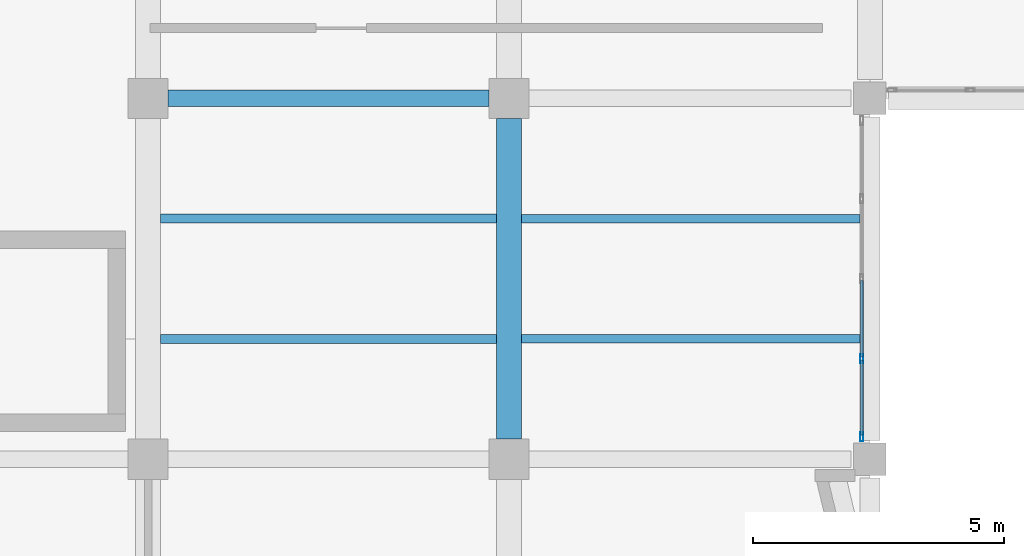
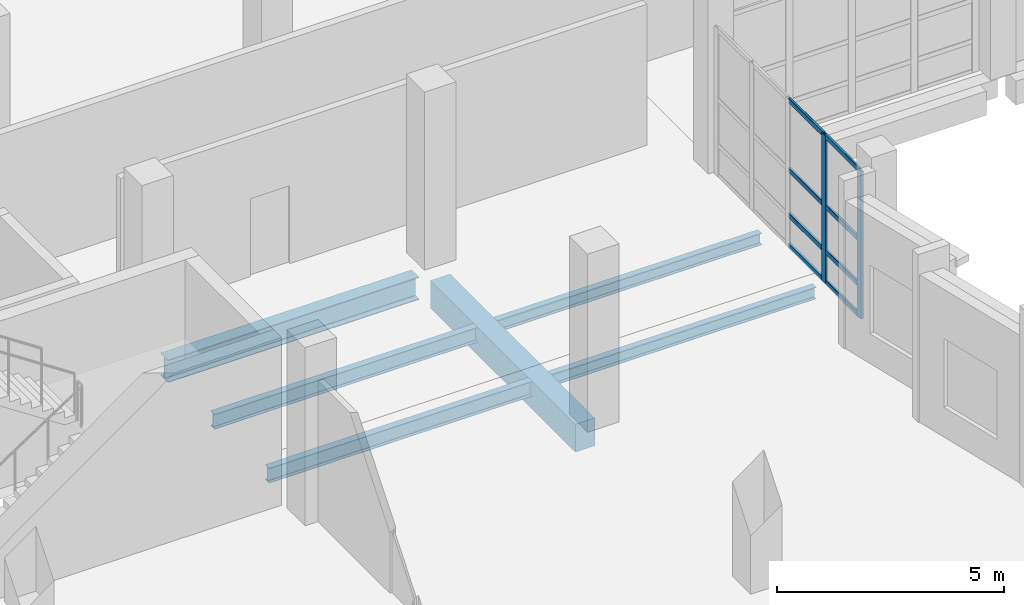
# One storey, part 47 of 127: 10 members, 6 beams, 1 element without a shape of its own.
"""IFC4 building model written with IfcOpenShell, lengths in metres."""

from ifc_helpers import new_model, si_unit, direction, frame, origin, origin_2d, place, context, subcontext, project, spatial, rectangle, hollow_rectangle, i_section, extrude, material, material_profile, profile_set, type_object, element, aggregate, save


model = new_model("IFC4")

# Units and contexts
model_context = context("Model", 3, precision=1e-05, world=origin(), true_north=direction((0.0, 1.0)))
body_context = subcontext(model_context, "Body", "Model", "MODEL_VIEW")
ifc_project = project(units=[si_unit("LENGTHUNIT", "METRE"), si_unit("AREAUNIT", "SQUARE_METRE"), si_unit("VOLUMEUNIT", "CUBIC_METRE"), si_unit("PLANEANGLEUNIT", "RADIAN"), si_unit("MASSUNIT", "GRAM", prefix="KILO")], contexts=[model_context])

# Site, building, storey
site_placement = place(None, origin())
site = spatial("IfcSite", under=ifc_project, at=site_placement, CompositionType="ELEMENT")
building_placement = place(site_placement, origin())
building = spatial("IfcBuilding", under=site, at=building_placement, Name="Kalmorath City Hall", CompositionType="ELEMENT")
storey_placement = place(building_placement, frame((0.0, 0.0, 5.39990234375)))
storey = spatial("IfcBuildingStorey", under=building, at=storey_placement, Name="L01", CompositionType="ELEMENT", Elevation=5.39990234375)

# Beam
ifc_material_1 = material(Name="Concrete C40/50", Category="concrete")
ifc_material_profile_1 = material_profile(ifc_material_1, rectangle(XDim=0.5, YDim=0.75, at=origin_2d()), Name="RC-BM-500X750")
ifc_profile_set_1 = profile_set([ifc_material_profile_1], Name="Concrete C40/50")
beam_type_1 = type_object("IfcBeamType", Name="Concrete floor beam 500x750", PredefinedType="BEAM", material=ifc_profile_set_1)
beam_1_placement = place(storey_placement, frame((21.60009765625, 86.800048828125, -0.698974609375), z_axis=(0.0, 1.0, 0.0), x_axis=(-1.0, 0.0, 0.0)))
element("IfcBeam", 1, at=beam_1_placement, inside=storey, type_object=beam_type_1, Name="L01 girder CB3 Y4/13-14", PredefinedType="BEAM", context=body_context, shape_type="SweptSolid", body=[
    extrude(rectangle(XDim=0.5, YDim=0.75, at=origin_2d()), origin(), (0.0, 0.0, 1.0), 6.39990234375),
])

# Curtain wall, members
ifc_material_2 = material(Name="Anodised aluminium and laminated glass", Category="aluminium")
curtain_wall_type = type_object("IfcCurtainWallType", Name="Unitised hurricane curtain wall 6370x3976 M1750", PredefinedType="NOTDEFINED", material=ifc_material_2)
curtain_wall_placement = place(storey_placement, origin())
curtain_wall = element("IfcCurtainWall", 2, at=curtain_wall_placement, inside=storey, type_object=curtain_wall_type, Name="L01 curtain wall CW-64X40M18 #108", PredefinedType="NOTDEFINED")
ifc_material_3 = material(Name="Anodised aluminium framing", Category="aluminium")
ifc_material_profile_2 = material_profile(ifc_material_3, hollow_rectangle(XDim=0.06494140625, YDim=0.179931640625, WallThickness=0.00390625, InnerFilletRadius=0.00390625, OuterFilletRadius=0.008056640625, at=origin_2d()), Name="ALU-MUL-180X65X4")
ifc_profile_set_2 = profile_set([ifc_material_profile_2], Name="Anodised aluminium framing")
member_type_1 = type_object("IfcMemberType", Name="Curtain-wall courtyard mullion 180x65", PredefinedType="MULLION", material=ifc_profile_set_2)
member_1_placement = place(storey_placement, frame((28.639892578125, 88.407470703125, 0.0), z_axis=(0.0, 0.0, 1.0), x_axis=(1.0, 0.0, 0.0)))
member_1 = element("IfcMember", 3, at=member_1_placement, type_object=member_type_1, Name="CW-64X40M18 mullion 4", PredefinedType="MULLION", context=body_context, shape_type="SweptSolid", body=[
    extrude(hollow_rectangle(XDim=0.06494140625, YDim=0.179931640625, WallThickness=0.00390625, InnerFilletRadius=0.00390625, OuterFilletRadius=0.008056640625, at=origin_2d()), origin(), (0.0, 0.0, 1.0), 3.97607421875),
])
member_2_placement = place(storey_placement, frame((28.639892578125, 86.847412109375, 0.0), z_axis=(0.0, 0.0, 1.0), x_axis=(1.0, 0.0, 0.0)))
member_2 = element("IfcMember", 4, at=member_2_placement, type_object=member_type_1, Name="CW-64X40M18 mullion 5", PredefinedType="MULLION", context=body_context, shape_type="SweptSolid", body=[
    extrude(hollow_rectangle(XDim=0.06494140625, YDim=0.179931640625, WallThickness=0.00390625, InnerFilletRadius=0.00390625, OuterFilletRadius=0.008056640625, at=origin_2d()), origin(), (0.0, 0.0, 1.0), 3.97607421875),
])
ifc_material_4 = material(Name="Anodised aluminium framing", Category="aluminium")
ifc_material_profile_3 = material_profile(ifc_material_4, hollow_rectangle(XDim=0.06005859375, YDim=0.1298828125, WallThickness=0.00341796875, InnerFilletRadius=0.00341796875, OuterFilletRadius=0.007080078125, at=origin_2d()), Name="ALU-TRN-130X60X3.5")
ifc_profile_set_3 = profile_set([ifc_material_profile_3], Name="Anodised aluminium framing")
member_type_2 = type_object("IfcMemberType", Name="Curtain-wall courtyard transom 130x60", PredefinedType="USERDEFINED", material=ifc_profile_set_3)
member_3_placement = place(storey_placement, frame((28.639892578125, 89.967529296875, 0.030029296875), z_axis=(0.0, -1.0, 0.0), x_axis=(1.0, 0.0, 0.0)))
member_3 = element("IfcMember", 5, at=member_3_placement, type_object=member_type_2, Name="CW-64X40M18 transom 3.1", ObjectType="TRANSOM", PredefinedType="USERDEFINED", context=body_context, shape_type="SweptSolid", body=[
    extrude(hollow_rectangle(XDim=0.06005859375, YDim=0.1298828125, WallThickness=0.00341796875, InnerFilletRadius=0.00341796875, OuterFilletRadius=0.007080078125, at=origin_2d()), origin(), (0.0, 0.0, 1.0), 1.527587890625),
])
member_4_placement = place(storey_placement, frame((28.639892578125, 89.967529296875, 0.85009765625), z_axis=(0.0, -1.0, 0.0), x_axis=(1.0, 0.0, 0.0)))
member_4 = element("IfcMember", 6, at=member_4_placement, type_object=member_type_2, Name="CW-64X40M18 transom 3.2", ObjectType="TRANSOM", PredefinedType="USERDEFINED", context=body_context, shape_type="SweptSolid", body=[
    extrude(hollow_rectangle(XDim=0.06005859375, YDim=0.1298828125, WallThickness=0.00341796875, InnerFilletRadius=0.00341796875, OuterFilletRadius=0.007080078125, at=origin_2d()), origin(), (0.0, 0.0, 1.0), 1.527587890625),
])
member_5_placement = place(storey_placement, frame((28.639892578125, 89.967529296875, 2.068115234375), z_axis=(0.0, -1.0, 0.0), x_axis=(1.0, 0.0, 0.0)))
member_5 = element("IfcMember", 7, at=member_5_placement, type_object=member_type_2, Name="CW-64X40M18 transom 3.3", ObjectType="TRANSOM", PredefinedType="USERDEFINED", context=body_context, shape_type="SweptSolid", body=[
    extrude(hollow_rectangle(XDim=0.06005859375, YDim=0.1298828125, WallThickness=0.00341796875, InnerFilletRadius=0.00341796875, OuterFilletRadius=0.007080078125, at=origin_2d()), origin(), (0.0, 0.0, 1.0), 1.527587890625),
])
member_6_placement = place(storey_placement, frame((28.639892578125, 89.967529296875, 3.946044921875), z_axis=(0.0, -1.0, 0.0), x_axis=(1.0, 0.0, 0.0)))
member_6 = element("IfcMember", 8, at=member_6_placement, type_object=member_type_2, Name="CW-64X40M18 transom 3.4", ObjectType="TRANSOM", PredefinedType="USERDEFINED", context=body_context, shape_type="SweptSolid", body=[
    extrude(hollow_rectangle(XDim=0.06005859375, YDim=0.1298828125, WallThickness=0.00341796875, InnerFilletRadius=0.00341796875, OuterFilletRadius=0.007080078125, at=origin_2d()), origin(), (0.0, 0.0, 1.0), 1.527587890625),
])
member_7_placement = place(storey_placement, frame((28.639892578125, 88.375, 0.030029296875), z_axis=(0.0, -1.0, 0.0), x_axis=(1.0, 0.0, 0.0)))
member_7 = element("IfcMember", 9, at=member_7_placement, type_object=member_type_2, Name="CW-64X40M18 transom 4.1", ObjectType="TRANSOM", PredefinedType="USERDEFINED", context=body_context, shape_type="SweptSolid", body=[
    extrude(hollow_rectangle(XDim=0.06005859375, YDim=0.1298828125, WallThickness=0.00341796875, InnerFilletRadius=0.00341796875, OuterFilletRadius=0.007080078125, at=origin_2d()), origin(), (0.0, 0.0, 1.0), 1.4951171875),
])
member_8_placement = place(storey_placement, frame((28.639892578125, 88.375, 0.85009765625), z_axis=(0.0, -1.0, 0.0), x_axis=(1.0, 0.0, 0.0)))
member_8 = element("IfcMember", 10, at=member_8_placement, type_object=member_type_2, Name="CW-64X40M18 transom 4.2", ObjectType="TRANSOM", PredefinedType="USERDEFINED", context=body_context, shape_type="SweptSolid", body=[
    extrude(hollow_rectangle(XDim=0.06005859375, YDim=0.1298828125, WallThickness=0.00341796875, InnerFilletRadius=0.00341796875, OuterFilletRadius=0.007080078125, at=origin_2d()), origin(), (0.0, 0.0, 1.0), 1.4951171875),
])
member_9_placement = place(storey_placement, frame((28.639892578125, 88.375, 2.068115234375), z_axis=(0.0, -1.0, 0.0), x_axis=(1.0, 0.0, 0.0)))
member_9 = element("IfcMember", 11, at=member_9_placement, type_object=member_type_2, Name="CW-64X40M18 transom 4.3", ObjectType="TRANSOM", PredefinedType="USERDEFINED", context=body_context, shape_type="SweptSolid", body=[
    extrude(hollow_rectangle(XDim=0.06005859375, YDim=0.1298828125, WallThickness=0.00341796875, InnerFilletRadius=0.00341796875, OuterFilletRadius=0.007080078125, at=origin_2d()), origin(), (0.0, 0.0, 1.0), 1.4951171875),
])
member_10_placement = place(storey_placement, frame((28.639892578125, 88.375, 3.946044921875), z_axis=(0.0, -1.0, 0.0), x_axis=(1.0, 0.0, 0.0)))
member_10 = element("IfcMember", 12, at=member_10_placement, type_object=member_type_2, Name="CW-64X40M18 transom 4.4", ObjectType="TRANSOM", PredefinedType="USERDEFINED", context=body_context, shape_type="SweptSolid", body=[
    extrude(hollow_rectangle(XDim=0.06005859375, YDim=0.1298828125, WallThickness=0.00341796875, InnerFilletRadius=0.00341796875, OuterFilletRadius=0.007080078125, at=origin_2d()), origin(), (0.0, 0.0, 1.0), 1.4951171875),
])
aggregate(curtain_wall, [member_1, member_2, member_3, member_4, member_5, member_6, member_7, member_8, member_9, member_10])

# Beams
ifc_material_5 = material(Name="Steel ASTM A992 Grade 50", Category="steel")
ifc_material_profile_4 = material_profile(ifc_material_5, i_section(OverallWidth=0.177001953125, OverallDepth=0.403076171875, WebThickness=0.007568359375, FlangeThickness=0.010986328125, FilletRadius=0.012939453125, at=origin_2d()), Name="W16X36")
ifc_profile_set_4 = profile_set([ifc_material_profile_4], Name="Steel ASTM A992 Grade 50")
beam_type_2 = type_object("IfcBeamType", Name="Steel composite joist W16X36", PredefinedType="JOIST", material=ifc_profile_set_4)
for number, where, z_axis, x_axis, name in (
    (13, (14.64990234375, 88.800048828125, -0.525390625), (1.0, 0.0, 0.0), (0.0, 1.0, 0.0), "L01 joist SJ7 3.13.1"),
    (14, (14.64990234375, 91.199951171875, -0.525390625), (1.0, 0.0, 0.0), (0.0, 1.0, 0.0), "L01 joist SJ7 3.13.2"),
):
    element("IfcBeam", number, at=place(storey_placement, frame(where, z_axis=z_axis, x_axis=x_axis)), inside=storey, type_object=beam_type_2, Name=name, PredefinedType="JOIST", context=body_context, shape_type="SweptSolid", body=[
        extrude(i_section(OverallWidth=0.177001953125, OverallDepth=0.403076171875, WebThickness=0.007568359375, FlangeThickness=0.010986328125, FilletRadius=0.012939453125, at=origin_2d()), origin(), (0.0, 0.0, 1.0), 6.7001953125),
    ])
ifc_material_6 = material(Name="Steel ASTM A992 Grade 50", Category="steel")
ifc_material_profile_5 = material_profile(ifc_material_6, i_section(OverallWidth=0.323974609375, OverallDepth=0.611083984375, WebThickness=0.0126953125, FlangeThickness=0.01904296875, FilletRadius=0.01611328125, at=origin_2d()), Name="W24X104")
ifc_profile_set_5 = profile_set([ifc_material_profile_5], Name="Steel ASTM A992 Grade 50")
beam_type_3 = type_object("IfcBeamType", Name="Steel floor girder W24X104", PredefinedType="BEAM", material=ifc_profile_set_5)
beam_2_placement = place(storey_placement, frame((14.800048828125, 93.60009765625, -0.62939453125), z_axis=(1.0, 0.0, 0.0), x_axis=(0.0, 1.0, 0.0)))
element("IfcBeam", 15, at=beam_2_placement, inside=storey, type_object=beam_type_3, Name="L01 girder SG7 X3-4/14", PredefinedType="BEAM", context=body_context, shape_type="SweptSolid", body=[
    extrude(i_section(OverallWidth=0.323974609375, OverallDepth=0.611083984375, WebThickness=0.0126953125, FlangeThickness=0.01904296875, FilletRadius=0.01611328125, at=origin_2d()), origin(), (0.0, 0.0, 1.0), 6.39990234375),
])
ifc_material_7 = material(Name="Steel ASTM A992 Grade 50", Category="steel")
ifc_material_profile_6 = material_profile(ifc_material_7, i_section(OverallWidth=0.1669921875, OverallDepth=0.318115234375, WebThickness=0.007568359375, FlangeThickness=0.01318359375, FilletRadius=0.012939453125, at=origin_2d()), Name="W12X35")
ifc_profile_set_6 = profile_set([ifc_material_profile_6], Name="Steel ASTM A992 Grade 50")
beam_type_4 = type_object("IfcBeamType", Name="Steel header lintel W12X35", PredefinedType="LINTEL", material=ifc_profile_set_6)
for number, where, z_axis, x_axis, name in (
    (16, (21.85009765625, 88.800048828125, -0.48291015625), (1.0, 0.0, 0.0), (0.0, 1.0, 0.0), "L01 joist SJ13 4.13.1"),
    (17, (21.85009765625, 91.199951171875, -0.48291015625), (1.0, 0.0, 0.0), (0.0, 1.0, 0.0), "L01 joist SJ13 4.13.2"),
):
    element("IfcBeam", number, at=place(storey_placement, frame(where, z_axis=z_axis, x_axis=x_axis)), inside=storey, type_object=beam_type_4, Name=name, PredefinedType="LINTEL", context=body_context, shape_type="SweptSolid", body=[
        extrude(i_section(OverallWidth=0.1669921875, OverallDepth=0.318115234375, WebThickness=0.007568359375, FlangeThickness=0.01318359375, FilletRadius=0.012939453125, at=origin_2d()), origin(), (0.0, 0.0, 1.0), 6.75),
    ])

save(model, "model.ifc")
